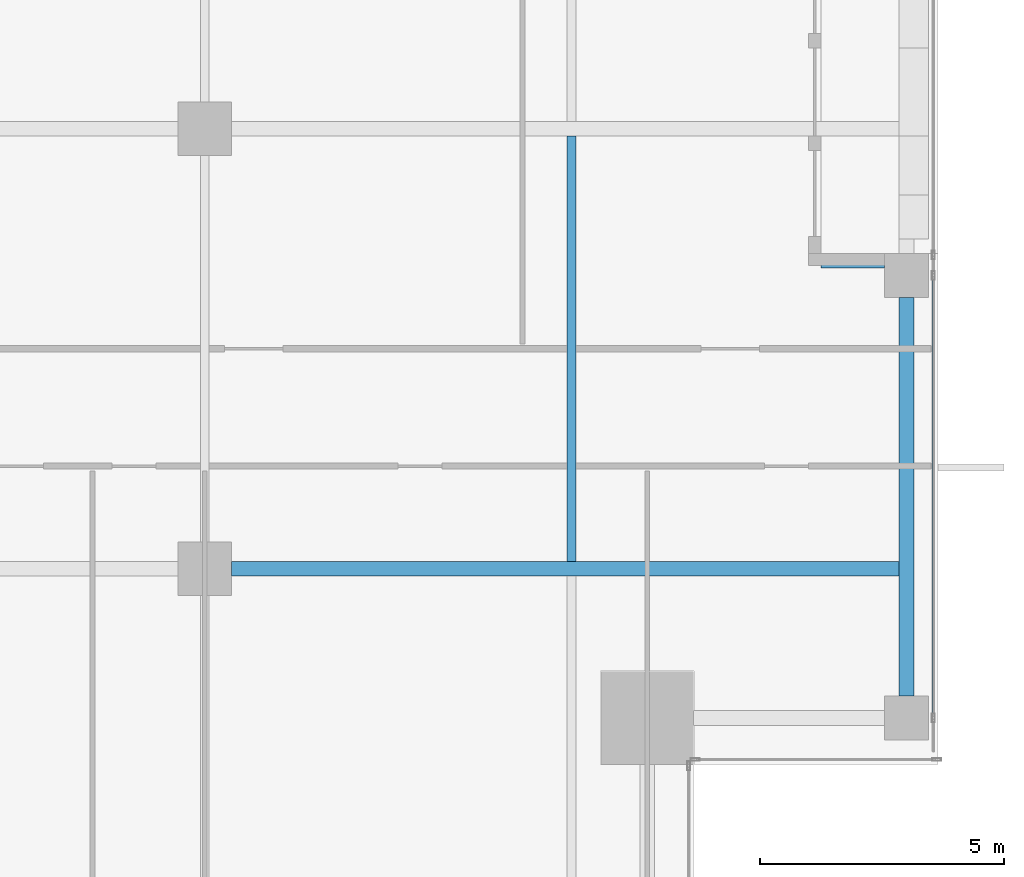
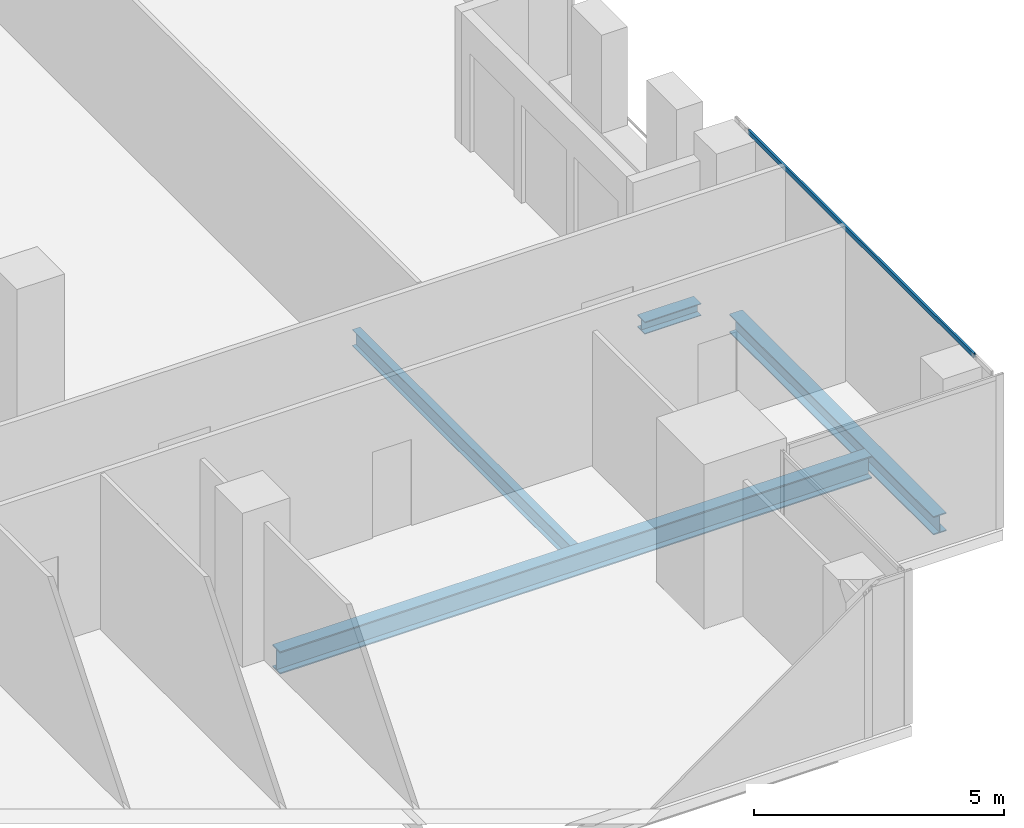
# One storey, part 11 of 36: 4 beams, 1 member, 1 element without a shape of its own.
"""IFC4 building model written with IfcOpenShell, lengths in metres."""

import ifcopenshell
import ifcopenshell.guid

model = None  # the IFC model being written
_history = None  # IfcOwnerHistory: only IFC2X3 demands one
_inside = {}  # id of a spatial element -> (the spatial element, [elements in it])
_under = {}  # id of a project, library or spatial element -> (it, [spatial elements below it])
_declared = {}  # id of a project -> (the project, [libraries it declares])
_typed = {}  # id of a type object -> (the type object, [elements of that type])
_made_of = {}  # id of a material, layer set ... -> (it, [elements and type objects made of it])


def new_model(schema):
    """Start an empty IFC model of exactly this schema.

    Asked for "IFC4X3", IfcOpenShell would pick the latest addendum, in which some entities
    have other attributes; the version numbers below select the first issue.
    IFC2X3 requires an IfcOwnerHistory on every rooted entity: one is made here for all.
    """
    global model, _history
    if schema == "IFC4X3":
        model = ifcopenshell.file(schema_version=(4, 3, 0, 0))
    else:
        model = ifcopenshell.file(schema=schema)
    _inside.clear()
    _under.clear()
    _declared.clear()
    _typed.clear()
    _made_of.clear()
    _history = None
    if model.schema == "IFC2X3":
        org = make("IfcOrganization", Name="unknown")
        user = make(
            "IfcPersonAndOrganization",
            ThePerson=make("IfcPerson", FamilyName="unknown"),
            TheOrganization=org,
        )
        app = make(
            "IfcApplication",
            ApplicationDeveloper=org,
            Version="unknown",
            ApplicationFullName="unknown",
            ApplicationIdentifier="unknown",
        )
        _history = make(
            "IfcOwnerHistory",
            OwningUser=user,
            OwningApplication=app,
            ChangeAction="ADDED",
            CreationDate=0,
        )
    return model


def make(cls, **values):
    """One entity of the class cls with the attributes given. An attribute that is None is left unset."""
    return model.create_entity(
        cls, **{name: value for name, value in values.items() if value is not None}
    )


def rooted(cls, **values):
    """An entity with a GlobalId (a new one), such as an element, a storey or a relation."""
    return make(cls, GlobalId=ifcopenshell.guid.new(), OwnerHistory=_history, **values)


def si_unit(unit_type, name, prefix=None):
    """IfcSIUnit, for example si_unit("LENGTHUNIT", "METRE", prefix="MILLI")."""
    return make("IfcSIUnit", UnitType=unit_type, Prefix=prefix, Name=name)


def assignment(units):
    """IfcUnitAssignment: the units of a project."""
    return None if units is None else make("IfcUnitAssignment", Units=units)


def point(xyz):
    """IfcCartesianPoint."""
    return None if xyz is None else make("IfcCartesianPoint", Coordinates=xyz)


def direction(xyz):
    """IfcDirection."""
    return None if xyz is None else make("IfcDirection", DirectionRatios=xyz)


def frame(location, z_axis=None, x_axis=None):
    """IfcAxis2Placement3D, a coordinate frame: its origin and axes. An axis left out is left unset."""
    return make(
        "IfcAxis2Placement3D",
        Location=point(location),
        Axis=direction(z_axis),
        RefDirection=direction(x_axis),
    )


def frame_2d(location, x_axis=None):
    """IfcAxis2Placement2D, a coordinate frame in the plane: its origin and x axis."""
    return make(
        "IfcAxis2Placement2D", Location=point(location), RefDirection=direction(x_axis)
    )


def origin():
    """The frame at (0, 0, 0) with its axes left unset."""
    return frame((0.0, 0.0, 0.0))


def origin_2d():
    """The frame at (0, 0) in the plane with its x axis left unset."""
    return frame_2d((0.0, 0.0))


def place(relative_to, where):
    """IfcLocalPlacement: puts the frame where relative to a parent placement (None: the world)."""
    return make(
        "IfcLocalPlacement", PlacementRelTo=relative_to, RelativePlacement=where
    )


def context(
    kind, dimensions, precision=None, world=None, true_north=None, identifier=None
):
    """IfcGeometricRepresentationContext, for example the 3D "Model" context."""
    return make(
        "IfcGeometricRepresentationContext",
        ContextIdentifier=identifier,
        ContextType=kind,
        CoordinateSpaceDimension=dimensions,
        Precision=precision,
        WorldCoordinateSystem=world,
        TrueNorth=true_north,
    )


def subcontext(parent, identifier, kind, view, scale=None):
    """IfcGeometricRepresentationSubContext, for example "Body" below "Model"."""
    return make(
        "IfcGeometricRepresentationSubContext",
        ContextIdentifier=identifier,
        ContextType=kind,
        ParentContext=parent,
        TargetScale=scale,
        TargetView=view,
    )


def project(units=None, contexts=None):
    """IfcProject with its units and contexts."""
    return rooted(
        "IfcProject",
        Name="project",
        RepresentationContexts=contexts,
        UnitsInContext=assignment(units),
    )


def spatial(cls, under=None, at=None, **own):
    """A site, building, storey or space (cls), placed at a placement, below another one or the project."""
    s = rooted(cls, ObjectPlacement=at, **own)
    if under is not None:
        _under.setdefault(under.id(), (under, []))[1].append(s)
    return s


def profile(cls, at=None, kind="AREA", **sizes):
    """A parametric profile (cls). Its sizes go by their IFC names, for example OverallWidth=200.0."""
    return make(cls, ProfileType=kind, Position=at, **sizes)


def hollow_rectangle(**sizes):
    """IfcRectangleHollowProfileDef."""
    return profile("IfcRectangleHollowProfileDef", **sizes)


def i_section(**sizes):
    """IfcIShapeProfileDef."""
    return profile("IfcIShapeProfileDef", **sizes)


def extrude(swept, where, along, depth):
    """IfcExtrudedAreaSolid: the profile swept, set in the frame where, extruded along a direction by depth."""
    return make(
        "IfcExtrudedAreaSolid",
        SweptArea=swept,
        Position=where,
        ExtrudedDirection=direction(along),
        Depth=depth,
    )


def shape(context_of_items, identifier, shape_type, items):
    """IfcShapeRepresentation: the items that make up one representation, for example the "Body"."""
    return make(
        "IfcShapeRepresentation",
        ContextOfItems=context_of_items,
        RepresentationIdentifier=identifier,
        RepresentationType=shape_type,
        Items=items,
    )


def source(mapping_origin, context_of_items, identifier, shape_type, items):
    """IfcRepresentationMap: a shape defined once, which mapped items show again and again."""
    return make(
        "IfcRepresentationMap",
        MappingOrigin=mapping_origin,
        MappedRepresentation=shape(context_of_items, identifier, shape_type, items),
    )


def transform(
    local_origin,
    x_axis=None,
    y_axis=None,
    z_axis=None,
    scale=None,
    scale2=None,
    scale3=None,
    uniform=True,
):
    """IfcCartesianTransformationOperator3D, or its non-uniform kind. x_axis, y_axis, z_axis: its Axis1, 2, 3."""
    if uniform:
        return make(
            "IfcCartesianTransformationOperator3D",
            Axis1=direction(x_axis),
            Axis2=direction(y_axis),
            LocalOrigin=point(local_origin),
            Scale=scale,
            Axis3=direction(z_axis),
        )
    return make(
        "IfcCartesianTransformationOperator3DnonUniform",
        Axis1=direction(x_axis),
        Axis2=direction(y_axis),
        LocalOrigin=point(local_origin),
        Scale=scale,
        Axis3=direction(z_axis),
        Scale2=scale2,
        Scale3=scale3,
    )


def mapped(mapping_source, mapping_target):
    """IfcMappedItem: shows the shape of a source again, moved by a transform."""
    return make(
        "IfcMappedItem", MappingSource=mapping_source, MappingTarget=mapping_target
    )


def material(Name=None, Category=None):
    """IfcMaterial."""
    return make("IfcMaterial", Name=Name, Category=Category)


def material_profile(
    of_material, cross_section, Name=None, Category=None, Priority=None
):
    """IfcMaterialProfile: a cross section and its material."""
    return make(
        "IfcMaterialProfile",
        Name=Name,
        Material=of_material,
        Profile=cross_section,
        Priority=Priority,
        Category=Category,
    )


def profile_set(profiles, Name=None, composite=None):
    """IfcMaterialProfileSet."""
    return make(
        "IfcMaterialProfileSet",
        Name=Name,
        MaterialProfiles=profiles,
        CompositeProfile=composite,
    )


def made_of(thing, what):
    """Note that an element or type object is made of a material, layer set ...; save() writes the relation."""
    if what is not None:
        _made_of.setdefault(what.id(), (what, []))[1].append(thing)
    return thing


def type_object(cls, material=None, **own):
    """A type object (cls), such as IfcWallType, which elements share."""
    return made_of(rooted(cls, **own), material)


def element(
    cls,
    number,
    at=None,
    inside=None,
    cuts=None,
    type_object=None,
    material=None,
    context=None,
    identifier="Body",
    shape_type=None,
    held_by="IfcProductDefinitionShape",
    body=None,
    shapes=None,
    **own,
):
    """One element of the class cls, such as IfcWall. Its Tag is "e" and its number.

    at: its placement. inside: the storey or other place that contains it. cuts: it is an
    opening in that element (IfcRelVoidsElement). A single representation is given by context,
    identifier, shape_type and body (its items); several are given by shapes. held_by: the class
    of the entity that holds the representations. save() writes the other relations.
    """
    e = rooted(cls, Tag="e%d" % number, ObjectPlacement=at, **own)
    if body is not None:
        shapes = [shape(context, identifier, shape_type, body)]
    if shapes is not None:
        e.Representation = make(held_by, Representations=shapes)
    if inside is not None:
        _inside.setdefault(inside.id(), (inside, []))[1].append(e)
    if cuts is not None:
        rooted(
            "IfcRelVoidsElement", RelatingBuildingElement=cuts, RelatedOpeningElement=e
        )
    if type_object is not None:
        _typed.setdefault(type_object.id(), (type_object, []))[1].append(e)
    return made_of(e, material)


def aggregate(whole, parts):
    """IfcRelAggregates: a whole, such as a stair, and the parts it consists of."""
    return rooted("IfcRelAggregates", RelatingObject=whole, RelatedObjects=parts)


def save(model, path):
    """Write the relations noted so far, then the file.

    IfcRelAggregates (storeys below a building ...), IfcRelContainedInSpatialStructure (elements
    in a storey), IfcRelDefinesByType, IfcRelAssociatesMaterial and IfcRelDeclares: one each for
    every whole, place, type object, material and project.
    """
    for whole, parts in _under.values():
        aggregate(whole, parts)
    for where, things in _inside.values():
        rooted(
            "IfcRelContainedInSpatialStructure",
            RelatedElements=things,
            RelatingStructure=where,
        )
    for kind, things in _typed.values():
        rooted("IfcRelDefinesByType", RelatedObjects=things, RelatingType=kind)
    for what, things in _made_of.values():
        rooted("IfcRelAssociatesMaterial", RelatedObjects=things, RelatingMaterial=what)
    for by, libraries in _declared.values():
        rooted("IfcRelDeclares", RelatingContext=by, RelatedDefinitions=libraries)
    model.write(path)


model = new_model("IFC4")

# Units and contexts
model_context = context("Model", 3, precision=1e-05, world=origin(), true_north=direction((0.0, 1.0)))
body_context = subcontext(model_context, "Body", "Model", "MODEL_VIEW")
ifc_project = project(units=[si_unit("LENGTHUNIT", "METRE"), si_unit("AREAUNIT", "SQUARE_METRE"), si_unit("VOLUMEUNIT", "CUBIC_METRE"), si_unit("PLANEANGLEUNIT", "RADIAN"), si_unit("MASSUNIT", "GRAM", prefix="KILO")], contexts=[model_context])

# Site, building, storey
site_placement = place(None, origin())
site = spatial("IfcSite", under=ifc_project, at=site_placement, CompositionType="ELEMENT")
building_placement = place(site_placement, origin())
building = spatial("IfcBuilding", under=site, at=building_placement, Name="Khomas Fold Tower", CompositionType="ELEMENT")
storey_placement = place(building_placement, frame((0.0, 0.0, 230.199951171875)))
storey = spatial("IfcBuildingStorey", under=building, at=storey_placement, Name="L51", CompositionType="ELEMENT", Elevation=230.199951171875)

# Beams
ifc_material_1 = material(Name="Steel S355", Category="steel")
ifc_material_profile_1 = material_profile(ifc_material_1, i_section(OverallWidth=0.179931640625, OverallDepth=0.39990234375, WebThickness=0.008544921875, FlangeThickness=0.013427734375, at=origin_2d()), Name="IPE 400")
ifc_profile_set_1 = profile_set([ifc_material_profile_1], Name="Steel S355")
beam_type_1 = type_object("IfcBeamType", Name="IPE 400 beam JB3", PredefinedType="BEAM", material=ifc_profile_set_1)
shared_shape_1 = source(origin(), body_context, "Body", "SweptSolid", [
    extrude(i_section(OverallWidth=0.179931640625, OverallDepth=0.39990234375, WebThickness=0.008544921875, FlangeThickness=0.013427734375, at=origin_2d()), origin(), (0.0, 0.0, 1.0), 8.7001953125),
])
beam_1_placement = place(storey_placement, frame((42.0, 13.64990234375, -0.449951171875), z_axis=(0.0, 1.0, 0.0), x_axis=(-1.0, 0.0, 0.0)))
element("IfcBeam", 1, at=beam_1_placement, inside=storey, type_object=beam_type_1, Name="JB3", PredefinedType="BEAM", context=body_context, shape_type="MappedRepresentation", body=[
    mapped(shared_shape_1, transform((0.0, 0.0, 0.0))),
])
ifc_material_2 = material(Name="Steel S355", Category="steel")
ifc_material_profile_2 = material_profile(ifc_material_2, i_section(OverallWidth=0.300048828125, OverallDepth=0.449951171875, WebThickness=0.013916015625, FlangeThickness=0.02587890625, at=origin_2d()), Name="HE 450 B")
ifc_profile_set_2 = profile_set([ifc_material_profile_2], Name="Steel S355")
beam_type_2 = type_object("IfcBeamType", Name="HE 450 B spandrel SB4", PredefinedType="SPANDREL", material=ifc_profile_set_2)
shared_shape_2 = source(origin(), body_context, "Body", "SweptSolid", [
    extrude(i_section(OverallWidth=0.300048828125, OverallDepth=0.449951171875, WebThickness=0.013916015625, FlangeThickness=0.02587890625, at=origin_2d()), origin(), (0.0, 0.0, 1.0), 8.150146484375),
])
beam_2_placement = place(storey_placement, frame((48.85009765625, 10.89990234375, -0.474853515625), z_axis=(0.0, 1.0, 0.0), x_axis=(-1.0, 0.0, 0.0)))
element("IfcBeam", 2, at=beam_2_placement, inside=storey, type_object=beam_type_2, Name="SB4", PredefinedType="SPANDREL", context=body_context, shape_type="MappedRepresentation", body=[
    mapped(shared_shape_2, transform((0.0, 0.0, 0.0))),
])
ifc_material_3 = material(Name="Steel S355", Category="steel")
ifc_material_profile_3 = material_profile(ifc_material_3, i_section(OverallWidth=0.300048828125, OverallDepth=0.550048828125, WebThickness=0.014892578125, FlangeThickness=0.029052734375, at=origin_2d()), Name="HE 550 B")
ifc_profile_set_3 = profile_set([ifc_material_profile_3], Name="Steel S355")
beam_type_3 = type_object("IfcBeamType", Name="HE 550 B beam GB4", PredefinedType="BEAM", material=ifc_profile_set_3)
shared_shape_3 = source(origin(), body_context, "Body", "SweptSolid", [
    extrude(i_section(OverallWidth=0.300048828125, OverallDepth=0.550048828125, WebThickness=0.014892578125, FlangeThickness=0.029052734375, at=origin_2d()), origin(), (0.0, 0.0, 1.0), 13.64990234375),
])
beam_3_placement = place(storey_placement, frame((35.050048828125, 13.5, -0.52490234375), z_axis=(1.0, 0.0, 0.0), x_axis=(0.0, 1.0, 0.0)))
element("IfcBeam", 3, at=beam_3_placement, inside=storey, type_object=beam_type_3, Name="GB4", PredefinedType="BEAM", context=body_context, shape_type="MappedRepresentation", body=[
    mapped(shared_shape_3, transform((0.0, 0.0, 0.0))),
])
ifc_material_4 = material(Name="Steel S355", Category="steel")
ifc_material_profile_4 = material_profile(ifc_material_4, i_section(OverallWidth=0.300048828125, OverallDepth=0.300048828125, WebThickness=0.010986328125, FlangeThickness=0.01904296875, at=origin_2d()), Name="HE 300 B")
ifc_profile_set_4 = profile_set([ifc_material_profile_4], Name="Steel S355")
beam_type_4 = type_object("IfcBeamType", Name="HE 300 B beam BB1", PredefinedType="BEAM", material=ifc_profile_set_4)
shared_shape_4 = source(origin(), body_context, "Body", "SweptSolid", [
    extrude(i_section(OverallWidth=0.300048828125, OverallDepth=0.300048828125, WebThickness=0.010986328125, FlangeThickness=0.01904296875, at=origin_2d()), origin(), (0.0, 0.0, 1.0), 1.2998046875),
])
beam_4_placement = place(storey_placement, frame((47.10009765625, 19.800048828125, -0.39990234375), z_axis=(1.0, 0.0, 0.0), x_axis=(0.0, 1.0, 0.0)))
element("IfcBeam", 4, at=beam_4_placement, inside=storey, type_object=beam_type_4, Name="BB1", PredefinedType="BEAM", context=body_context, shape_type="MappedRepresentation", body=[
    mapped(shared_shape_4, transform((0.0, 0.0, 0.0))),
])

# Curtain wall, member
ifc_material_5 = material(Name="Aluminium framed double glazing", Category="aluminium")
curtain_wall_type = type_object("IfcCurtainWallType", Name="SK-Unitised clear-glass wall, office floors CW2", PredefinedType="NOTDEFINED", material=ifc_material_5)
curtain_wall_placement = place(storey_placement, origin())
curtain_wall = element("IfcCurtainWall", 5, at=curtain_wall_placement, inside=storey, type_object=curtain_wall_type, Name="CW2 run L51 03-0", PredefinedType="NOTDEFINED")
ifc_material_6 = material(Name="Aluminium", Category="aluminium")
ifc_material_profile_5 = material_profile(ifc_material_6, hollow_rectangle(XDim=0.050048828125, YDim=0.110107421875, WallThickness=0.00390625, at=origin_2d()), Name="SK-Unitised clear-glass wall, office floors transom CW2-T")
ifc_profile_set_5 = profile_set([ifc_material_profile_5], Name="Aluminium")
member_type = type_object("IfcMemberType", Name="SK-Unitised clear-glass wall, office floors transom CW2-T", PredefinedType="USERDEFINED", material=ifc_profile_set_5)
shared_shape_5 = source(origin(), body_context, "Body", "SweptSolid", [
    extrude(hollow_rectangle(XDim=0.050048828125, YDim=0.110107421875, WallThickness=0.00390625, at=origin_2d()), origin(), (0.0, 0.0, 1.0), 8.989990234375),
])
member_placement = place(storey_placement, frame((49.39990234375, 10.47998046875, 3.695068359375), z_axis=(0.0, 1.0, 0.0), x_axis=(-1.0, 0.0, 0.0)))
member = element("IfcMember", 6, at=member_placement, type_object=member_type, Name="CW2 transom 2", ObjectType="TRANSOM", PredefinedType="USERDEFINED", context=body_context, shape_type="MappedRepresentation", body=[
    mapped(shared_shape_5, transform((0.0, 0.0, 0.0))),
])
aggregate(curtain_wall, [member])

save(model, "model.ifc")
